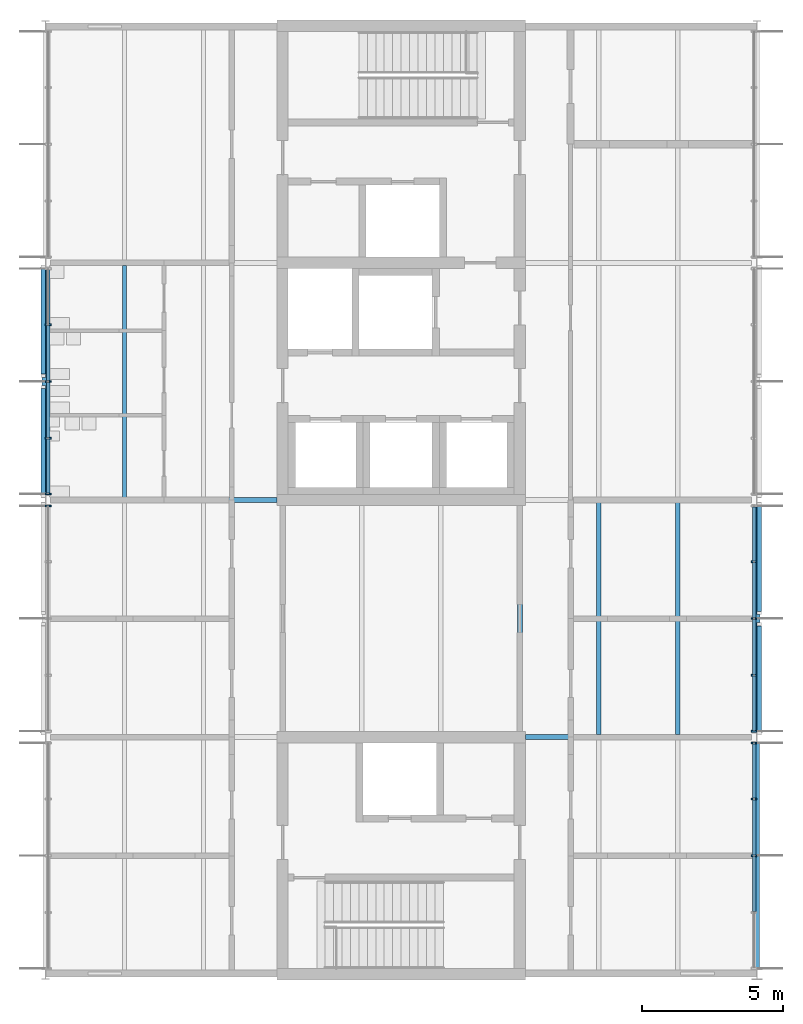
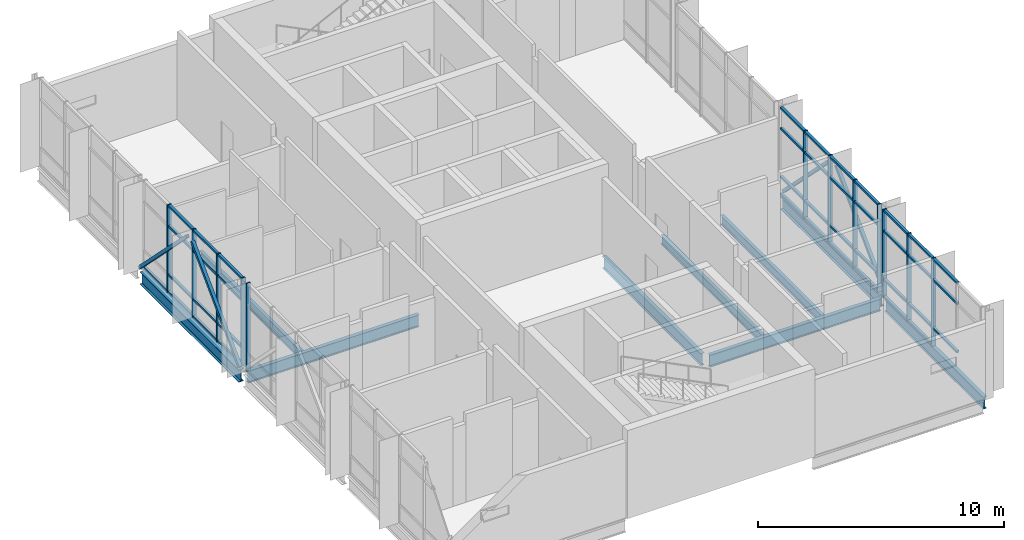
# One storey, part 3 of 15: 56 members, 9 beams, 4 elements without a shape of their own.
"""IFC4 building model written with IfcOpenShell, lengths in metres."""

import ifcopenshell
import ifcopenshell.guid

model = None  # the IFC model being written
_history = None  # IfcOwnerHistory: only IFC2X3 demands one
_inside = {}  # id of a spatial element -> (the spatial element, [elements in it])
_under = {}  # id of a project, library or spatial element -> (it, [spatial elements below it])
_declared = {}  # id of a project -> (the project, [libraries it declares])
_typed = {}  # id of a type object -> (the type object, [elements of that type])
_made_of = {}  # id of a material, layer set ... -> (it, [elements and type objects made of it])


def new_model(schema):
    """Start an empty IFC model of exactly this schema.

    Asked for "IFC4X3", IfcOpenShell would pick the latest addendum, in which some entities
    have other attributes; the version numbers below select the first issue.
    IFC2X3 requires an IfcOwnerHistory on every rooted entity: one is made here for all.
    """
    global model, _history
    if schema == "IFC4X3":
        model = ifcopenshell.file(schema_version=(4, 3, 0, 0))
    else:
        model = ifcopenshell.file(schema=schema)
    _inside.clear()
    _under.clear()
    _declared.clear()
    _typed.clear()
    _made_of.clear()
    _history = None
    if model.schema == "IFC2X3":
        org = make("IfcOrganization", Name="unknown")
        user = make(
            "IfcPersonAndOrganization",
            ThePerson=make("IfcPerson", FamilyName="unknown"),
            TheOrganization=org,
        )
        app = make(
            "IfcApplication",
            ApplicationDeveloper=org,
            Version="unknown",
            ApplicationFullName="unknown",
            ApplicationIdentifier="unknown",
        )
        _history = make(
            "IfcOwnerHistory",
            OwningUser=user,
            OwningApplication=app,
            ChangeAction="ADDED",
            CreationDate=0,
        )
    return model


def make(cls, **values):
    """One entity of the class cls with the attributes given. An attribute that is None is left unset."""
    return model.create_entity(
        cls, **{name: value for name, value in values.items() if value is not None}
    )


def rooted(cls, **values):
    """An entity with a GlobalId (a new one), such as an element, a storey or a relation."""
    return make(cls, GlobalId=ifcopenshell.guid.new(), OwnerHistory=_history, **values)


def si_unit(unit_type, name, prefix=None):
    """IfcSIUnit, for example si_unit("LENGTHUNIT", "METRE", prefix="MILLI")."""
    return make("IfcSIUnit", UnitType=unit_type, Prefix=prefix, Name=name)


def assignment(units):
    """IfcUnitAssignment: the units of a project."""
    return None if units is None else make("IfcUnitAssignment", Units=units)


def point(xyz):
    """IfcCartesianPoint."""
    return None if xyz is None else make("IfcCartesianPoint", Coordinates=xyz)


def direction(xyz):
    """IfcDirection."""
    return None if xyz is None else make("IfcDirection", DirectionRatios=xyz)


def frame(location, z_axis=None, x_axis=None):
    """IfcAxis2Placement3D, a coordinate frame: its origin and axes. An axis left out is left unset."""
    return make(
        "IfcAxis2Placement3D",
        Location=point(location),
        Axis=direction(z_axis),
        RefDirection=direction(x_axis),
    )


def frame_2d(location, x_axis=None):
    """IfcAxis2Placement2D, a coordinate frame in the plane: its origin and x axis."""
    return make(
        "IfcAxis2Placement2D", Location=point(location), RefDirection=direction(x_axis)
    )


def origin():
    """The frame at (0, 0, 0) with its axes left unset."""
    return frame((0.0, 0.0, 0.0))


def origin_2d():
    """The frame at (0, 0) in the plane with its x axis left unset."""
    return frame_2d((0.0, 0.0))


def place(relative_to, where):
    """IfcLocalPlacement: puts the frame where relative to a parent placement (None: the world)."""
    return make(
        "IfcLocalPlacement", PlacementRelTo=relative_to, RelativePlacement=where
    )


def context(
    kind, dimensions, precision=None, world=None, true_north=None, identifier=None
):
    """IfcGeometricRepresentationContext, for example the 3D "Model" context."""
    return make(
        "IfcGeometricRepresentationContext",
        ContextIdentifier=identifier,
        ContextType=kind,
        CoordinateSpaceDimension=dimensions,
        Precision=precision,
        WorldCoordinateSystem=world,
        TrueNorth=true_north,
    )


def subcontext(parent, identifier, kind, view, scale=None):
    """IfcGeometricRepresentationSubContext, for example "Body" below "Model"."""
    return make(
        "IfcGeometricRepresentationSubContext",
        ContextIdentifier=identifier,
        ContextType=kind,
        ParentContext=parent,
        TargetScale=scale,
        TargetView=view,
    )


def project(units=None, contexts=None):
    """IfcProject with its units and contexts."""
    return rooted(
        "IfcProject",
        Name="project",
        RepresentationContexts=contexts,
        UnitsInContext=assignment(units),
    )


def spatial(cls, under=None, at=None, **own):
    """A site, building, storey or space (cls), placed at a placement, below another one or the project."""
    s = rooted(cls, ObjectPlacement=at, **own)
    if under is not None:
        _under.setdefault(under.id(), (under, []))[1].append(s)
    return s


def profile(cls, at=None, kind="AREA", **sizes):
    """A parametric profile (cls). Its sizes go by their IFC names, for example OverallWidth=200.0."""
    return make(cls, ProfileType=kind, Position=at, **sizes)


def rectangle(**sizes):
    """IfcRectangleProfileDef."""
    return profile("IfcRectangleProfileDef", **sizes)


def hollow_rectangle(**sizes):
    """IfcRectangleHollowProfileDef."""
    return profile("IfcRectangleHollowProfileDef", **sizes)


def i_section(**sizes):
    """IfcIShapeProfileDef."""
    return profile("IfcIShapeProfileDef", **sizes)


def extrude(swept, where, along, depth):
    """IfcExtrudedAreaSolid: the profile swept, set in the frame where, extruded along a direction by depth."""
    return make(
        "IfcExtrudedAreaSolid",
        SweptArea=swept,
        Position=where,
        ExtrudedDirection=direction(along),
        Depth=depth,
    )


def shape(context_of_items, identifier, shape_type, items):
    """IfcShapeRepresentation: the items that make up one representation, for example the "Body"."""
    return make(
        "IfcShapeRepresentation",
        ContextOfItems=context_of_items,
        RepresentationIdentifier=identifier,
        RepresentationType=shape_type,
        Items=items,
    )


def material(Name=None, Category=None):
    """IfcMaterial."""
    return make("IfcMaterial", Name=Name, Category=Category)


def material_profile(
    of_material, cross_section, Name=None, Category=None, Priority=None
):
    """IfcMaterialProfile: a cross section and its material."""
    return make(
        "IfcMaterialProfile",
        Name=Name,
        Material=of_material,
        Profile=cross_section,
        Priority=Priority,
        Category=Category,
    )


def profile_set(profiles, Name=None, composite=None):
    """IfcMaterialProfileSet."""
    return make(
        "IfcMaterialProfileSet",
        Name=Name,
        MaterialProfiles=profiles,
        CompositeProfile=composite,
    )


def made_of(thing, what):
    """Note that an element or type object is made of a material, layer set ...; save() writes the relation."""
    if what is not None:
        _made_of.setdefault(what.id(), (what, []))[1].append(thing)
    return thing


def type_object(cls, material=None, **own):
    """A type object (cls), such as IfcWallType, which elements share."""
    return made_of(rooted(cls, **own), material)


def element(
    cls,
    number,
    at=None,
    inside=None,
    cuts=None,
    type_object=None,
    material=None,
    context=None,
    identifier="Body",
    shape_type=None,
    held_by="IfcProductDefinitionShape",
    body=None,
    shapes=None,
    **own,
):
    """One element of the class cls, such as IfcWall. Its Tag is "e" and its number.

    at: its placement. inside: the storey or other place that contains it. cuts: it is an
    opening in that element (IfcRelVoidsElement). A single representation is given by context,
    identifier, shape_type and body (its items); several are given by shapes. held_by: the class
    of the entity that holds the representations. save() writes the other relations.
    """
    e = rooted(cls, Tag="e%d" % number, ObjectPlacement=at, **own)
    if body is not None:
        shapes = [shape(context, identifier, shape_type, body)]
    if shapes is not None:
        e.Representation = make(held_by, Representations=shapes)
    if inside is not None:
        _inside.setdefault(inside.id(), (inside, []))[1].append(e)
    if cuts is not None:
        rooted(
            "IfcRelVoidsElement", RelatingBuildingElement=cuts, RelatedOpeningElement=e
        )
    if type_object is not None:
        _typed.setdefault(type_object.id(), (type_object, []))[1].append(e)
    return made_of(e, material)


def aggregate(whole, parts):
    """IfcRelAggregates: a whole, such as a stair, and the parts it consists of."""
    return rooted("IfcRelAggregates", RelatingObject=whole, RelatedObjects=parts)


def save(model, path):
    """Write the relations noted so far, then the file.

    IfcRelAggregates (storeys below a building ...), IfcRelContainedInSpatialStructure (elements
    in a storey), IfcRelDefinesByType, IfcRelAssociatesMaterial and IfcRelDeclares: one each for
    every whole, place, type object, material and project.
    """
    for whole, parts in _under.values():
        aggregate(whole, parts)
    for where, things in _inside.values():
        rooted(
            "IfcRelContainedInSpatialStructure",
            RelatedElements=things,
            RelatingStructure=where,
        )
    for kind, things in _typed.values():
        rooted("IfcRelDefinesByType", RelatedObjects=things, RelatingType=kind)
    for what, things in _made_of.values():
        rooted("IfcRelAssociatesMaterial", RelatedObjects=things, RelatingMaterial=what)
    for by, libraries in _declared.values():
        rooted("IfcRelDeclares", RelatingContext=by, RelatedDefinitions=libraries)
    model.write(path)


model = new_model("IFC4")

# Units and contexts
model_context = context("Model", 3, precision=1e-05, world=origin(), true_north=direction((0.0, 1.0)))
body_context = subcontext(model_context, "Body", "Model", "MODEL_VIEW")
ifc_project = project(units=[si_unit("LENGTHUNIT", "METRE"), si_unit("AREAUNIT", "SQUARE_METRE"), si_unit("VOLUMEUNIT", "CUBIC_METRE"), si_unit("PLANEANGLEUNIT", "RADIAN"), si_unit("MASSUNIT", "GRAM", prefix="KILO")], contexts=[model_context])

# Site, building, storey
site_placement = place(None, origin())
site = spatial("IfcSite", under=ifc_project, at=site_placement, CompositionType="ELEMENT")
building_placement = place(site_placement, origin())
building = spatial("IfcBuilding", under=site, at=building_placement, Name="Hlaing Beacon Police Headquarters", CompositionType="ELEMENT")
storey_placement = place(building_placement, frame((0.0, 0.0, 32.39990234375)))
storey = spatial("IfcBuildingStorey", under=building, at=storey_placement, Name="L07", CompositionType="ELEMENT", Elevation=32.39990234375)

# Members
ifc_material_1 = material(Name="Steel ASTM A500 Grade C", Category="steel")
ifc_material_profile_1 = material_profile(ifc_material_1, hollow_rectangle(XDim=0.15234375, YDim=0.15234375, WallThickness=0.0126953125, at=origin_2d()), Name="HSS6x6x1/2")
ifc_profile_set_1 = profile_set([ifc_material_profile_1], Name="Steel ASTM A500 Grade C")
member_type_1 = type_object("IfcMemberType", Name="Chevron brace HSS6x6x1/2", PredefinedType="BRACE", material=ifc_profile_set_1)
for number, where, z_axis, x_axis, name in (
    (1, (100.7197265625, 50.530029296875, 0.05419921875), (0.0, 0.704368633341, 0.709834366853), (-1.0, 0.0, 0.0), "STR-BR-L07-N7a"),
    (2, (100.7197265625, 58.669921875, 0.05419921875), (0.0, -0.704368633341, 0.709834366853), (1.0, 0.0, 0.0), "STR-BR-L07-N7b"),
):
    element("IfcMember", number, at=place(storey_placement, frame(where, z_axis=z_axis, x_axis=x_axis)), inside=storey, type_object=member_type_1, Name=name, PredefinedType="BRACE", context=body_context, shape_type="SweptSolid", body=[
        extrude(hollow_rectangle(XDim=0.15234375, YDim=0.15234375, WallThickness=0.0126953125, at=origin_2d()), origin(), (0.0, 0.0, 1.0), 5.494140625),
    ])
for number, where, z_axis, x_axis, name in (
    (3, (126.080078125, 42.1298828125, 0.05419921875), (0.0, 0.704391022459, 0.70981214943), (-1.0, 0.0, 0.0), "STR-BR-L07-R6a"),
    (4, (126.080078125, 50.27001953125, 0.05419921875), (0.0, -0.704391022459, 0.70981214943), (1.0, 0.0, 0.0), "STR-BR-L07-R6b"),
):
    element("IfcMember", number, at=place(storey_placement, frame(where, z_axis=z_axis, x_axis=x_axis)), inside=storey, type_object=member_type_1, Name=name, PredefinedType="BRACE", context=body_context, shape_type="SweptSolid", body=[
        extrude(hollow_rectangle(XDim=0.15234375, YDim=0.15234375, WallThickness=0.0126953125, at=origin_2d()), origin(), (0.0, 0.0, 1.0), 5.494384765625),
    ])

# Beams
ifc_material_2 = material(Name="Steel ASTM A992 Grade 50", Category="steel")
ifc_material_profile_2 = material_profile(ifc_material_2, i_section(OverallWidth=0.177978515625, OverallDepth=0.599365234375, WebThickness=0.010009765625, FlangeThickness=0.012939453125, FilletRadius=0.012939453125, at=origin_2d()), Name="W24x55")
ifc_profile_set_2 = profile_set([ifc_material_profile_2], Name="Steel ASTM A992 Grade 50")
beam_type_1 = type_object("IfcBeamType", Name="Girder W24x55", PredefinedType="BEAM", material=ifc_profile_set_2)
for number, where, z_axis, x_axis, name in (
    (5, (117.800048828125, 42.0, -0.4296875), (1.0, 0.0, 0.0), (0.0, 1.0, 0.0), "STR-BM-L07-GX-Q6-R6"),
    (6, (100.985107421875, 50.39990234375, -0.4296875), (1.0, 0.0, 0.0), (0.0, 1.0, 0.0), "STR-BM-L07-GX-N7-P7"),
):
    element("IfcBeam", number, at=place(storey_placement, frame(where, z_axis=z_axis, x_axis=x_axis)), inside=storey, type_object=beam_type_1, Name=name, PredefinedType="BEAM", context=body_context, shape_type="SweptSolid", body=[
        extrude(i_section(OverallWidth=0.177978515625, OverallDepth=0.599365234375, WebThickness=0.010009765625, FlangeThickness=0.012939453125, FilletRadius=0.012939453125, at=origin_2d()), origin(), (0.0, 0.0, 1.0), 8.014892578125),
    ])
beam_1_placement = place(storey_placement, frame((117.60009765625, 42.199951171875, -0.4296875), z_axis=(0.0, 1.0, 0.0), x_axis=(-1.0, 0.0, 0.0)))
element("IfcBeam", 7, at=beam_1_placement, inside=storey, type_object=beam_type_1, Name="STR-BM-L07-GY-Q6-Q7", PredefinedType="BEAM", context=body_context, shape_type="SweptSolid", body=[
    extrude(i_section(OverallWidth=0.177978515625, OverallDepth=0.599365234375, WebThickness=0.010009765625, FlangeThickness=0.012939453125, FilletRadius=0.012939453125, at=origin_2d()), origin(), (0.0, 0.0, 1.0), 8.0),
])
beam_2_placement = place(storey_placement, frame((126.0, 33.791015625, -0.4296875), z_axis=(0.0, 1.0, 0.0), x_axis=(-1.0, 0.0, 0.0)))
element("IfcBeam", 8, at=beam_2_placement, inside=storey, type_object=beam_type_1, Name="STR-BM-L07-GY-R5-R6", PredefinedType="BEAM", context=body_context, shape_type="SweptSolid", body=[
    extrude(i_section(OverallWidth=0.177978515625, OverallDepth=0.599365234375, WebThickness=0.010009765625, FlangeThickness=0.012939453125, FilletRadius=0.012939453125, at=origin_2d()), origin(), (0.0, 0.0, 1.0), 8.027099609375),
])
ifc_material_3 = material(Name="Steel ASTM A992 Grade 50", Category="steel")
ifc_material_profile_3 = material_profile(ifc_material_3, i_section(OverallWidth=0.22900390625, OverallDepth=0.612060546875, WebThickness=0.011962890625, FlangeThickness=0.01953125, FilletRadius=0.0126953125, at=origin_2d()), Name="W24x84")
ifc_profile_set_3 = profile_set([ifc_material_profile_3], Name="Steel ASTM A992 Grade 50")
beam_type_2 = type_object("IfcBeamType", Name="Girder W24x84", PredefinedType="BEAM", material=ifc_profile_set_3)
beam_3_placement = place(storey_placement, frame((100.800048828125, 50.58203125, -0.43603515625), z_axis=(0.0, 1.0, 0.0), x_axis=(-1.0, 0.0, 0.0)))
element("IfcBeam", 9, at=beam_3_placement, inside=storey, type_object=beam_type_2, Name="STR-BM-L07-GY-N7-N8", PredefinedType="BEAM", context=body_context, shape_type="SweptSolid", body=[
    extrude(i_section(OverallWidth=0.22900390625, OverallDepth=0.612060546875, WebThickness=0.011962890625, FlangeThickness=0.01953125, FilletRadius=0.0126953125, at=origin_2d()), origin(), (0.0, 0.0, 1.0), 8.035888671875),
])
beam_4_placement = place(storey_placement, frame((126.0, 42.181884765625, -0.43603515625), z_axis=(0.0, 1.0, 0.0), x_axis=(-1.0, 0.0, 0.0)))
element("IfcBeam", 10, at=beam_4_placement, inside=storey, type_object=beam_type_2, Name="STR-BM-L07-GY-R6-R7", PredefinedType="BEAM", context=body_context, shape_type="SweptSolid", body=[
    extrude(i_section(OverallWidth=0.22900390625, OverallDepth=0.612060546875, WebThickness=0.011962890625, FlangeThickness=0.01953125, FilletRadius=0.0126953125, at=origin_2d()), origin(), (0.0, 0.0, 1.0), 8.0361328125),
])

# Curtain wall, members
ifc_material_4 = material(Name="Aluminium frame with solar control glazing", Category="aluminium")
curtain_wall_type = type_object("IfcCurtainWallType", Name="Unitised curtain wall 8.04 x 4.37", PredefinedType="NOTDEFINED", material=ifc_material_4)
curtain_wall_1_placement = place(storey_placement, origin())
curtain_wall_1 = element("IfcCurtainWall", 11, at=curtain_wall_1_placement, inside=storey, type_object=curtain_wall_type, Name="ENV-CW-L07-E001", PredefinedType="NOTDEFINED")
ifc_material_5 = material(Name="Aluminium", Category="aluminium")
ifc_material_profile_4 = material_profile(ifc_material_5, rectangle(XDim=0.199951171875, YDim=0.06005859375, at=origin_2d()), Name="Mullion 60x200")
ifc_profile_set_4 = profile_set([ifc_material_profile_4], Name="Aluminium")
member_type_2 = type_object("IfcMemberType", Name="Mullion 60x200", PredefinedType="MULLION", material=ifc_profile_set_4)
member_1_placement = place(storey_placement, frame((125.89990234375, 37.802001953125, 0.0), z_axis=(0.0, 0.0, 1.0), x_axis=(-1.0, 0.0, 0.0)))
member_1 = element("IfcMember", 12, at=member_1_placement, type_object=member_type_2, Name="CW-L07-E001 mullion 3", PredefinedType="MULLION", context=body_context, shape_type="SweptSolid", body=[
    extrude(rectangle(XDim=0.199951171875, YDim=0.06005859375, at=origin_2d()), origin(), (0.0, 0.0, 1.0), 4.3701171875),
])
member_2_placement = place(storey_placement, frame((125.89990234375, 39.810791015625, 0.0), z_axis=(0.0, 0.0, 1.0), x_axis=(-1.0, 0.0, 0.0)))
member_2 = element("IfcMember", 13, at=member_2_placement, type_object=member_type_2, Name="CW-L07-E001 mullion 4", PredefinedType="MULLION", context=body_context, shape_type="SweptSolid", body=[
    extrude(rectangle(XDim=0.199951171875, YDim=0.06005859375, at=origin_2d()), origin(), (0.0, 0.0, 1.0), 4.3701171875),
])
member_3_placement = place(storey_placement, frame((125.89990234375, 41.789794921875, 0.0), z_axis=(0.0, 0.0, 1.0), x_axis=(-1.0, 0.0, 0.0)))
member_3 = element("IfcMember", 14, at=member_3_placement, type_object=member_type_2, Name="CW-L07-E001 mullion 5", PredefinedType="MULLION", context=body_context, shape_type="SweptSolid", body=[
    extrude(rectangle(XDim=0.199951171875, YDim=0.06005859375, at=origin_2d()), origin(), (0.0, 0.0, 1.0), 4.3701171875),
])

curtain_wall_2_placement = place(storey_placement, origin())
curtain_wall_2 = element("IfcCurtainWall", 15, at=curtain_wall_2_placement, inside=storey, type_object=curtain_wall_type, Name="ENV-CW-L07-E002", PredefinedType="NOTDEFINED")
member_4_placement = place(storey_placement, frame((125.89990234375, 42.210205078125, 0.0), z_axis=(0.0, 0.0, 1.0), x_axis=(-1.0, 0.0, 0.0)))
member_4 = element("IfcMember", 16, at=member_4_placement, type_object=member_type_2, Name="CW-L07-E002 mullion 1", PredefinedType="MULLION", context=body_context, shape_type="SweptSolid", body=[
    extrude(rectangle(XDim=0.199951171875, YDim=0.06005859375, at=origin_2d()), origin(), (0.0, 0.0, 1.0), 4.3701171875),
])
member_5_placement = place(storey_placement, frame((125.89990234375, 44.190185546875, 0.0), z_axis=(0.0, 0.0, 1.0), x_axis=(-1.0, 0.0, 0.0)))
member_5 = element("IfcMember", 17, at=member_5_placement, type_object=member_type_2, Name="CW-L07-E002 mullion 2", PredefinedType="MULLION", context=body_context, shape_type="SweptSolid", body=[
    extrude(rectangle(XDim=0.199951171875, YDim=0.06005859375, at=origin_2d()), origin(), (0.0, 0.0, 1.0), 4.3701171875),
])
member_6_placement = place(storey_placement, frame((125.89990234375, 46.199951171875, 0.0), z_axis=(0.0, 0.0, 1.0), x_axis=(-1.0, 0.0, 0.0)))
member_6 = element("IfcMember", 18, at=member_6_placement, type_object=member_type_2, Name="CW-L07-E002 mullion 3", PredefinedType="MULLION", context=body_context, shape_type="SweptSolid", body=[
    extrude(rectangle(XDim=0.199951171875, YDim=0.06005859375, at=origin_2d()), origin(), (0.0, 0.0, 1.0), 4.3701171875),
])
member_7_placement = place(storey_placement, frame((125.89990234375, 48.2099609375, 0.0), z_axis=(0.0, 0.0, 1.0), x_axis=(-1.0, 0.0, 0.0)))
member_7 = element("IfcMember", 19, at=member_7_placement, type_object=member_type_2, Name="CW-L07-E002 mullion 4", PredefinedType="MULLION", context=body_context, shape_type="SweptSolid", body=[
    extrude(rectangle(XDim=0.199951171875, YDim=0.06005859375, at=origin_2d()), origin(), (0.0, 0.0, 1.0), 4.3701171875),
])

curtain_wall_3_placement = place(storey_placement, origin())
curtain_wall_3 = element("IfcCurtainWall", 20, at=curtain_wall_3_placement, inside=storey, type_object=curtain_wall_type, Name="ENV-CW-L07-W006", PredefinedType="NOTDEFINED")
member_8_placement = place(storey_placement, frame((100.89990234375, 56.60986328125, 0.0), z_axis=(0.0, 0.0, 1.0), x_axis=(1.0, 0.0, 0.0)))
member_8 = element("IfcMember", 21, at=member_8_placement, type_object=member_type_2, Name="CW-L07-W006 mullion 2", PredefinedType="MULLION", context=body_context, shape_type="SweptSolid", body=[
    extrude(rectangle(XDim=0.199951171875, YDim=0.06005859375, at=origin_2d()), origin(), (0.0, 0.0, 1.0), 4.3701171875),
])
member_9_placement = place(storey_placement, frame((100.89990234375, 54.60009765625, 0.0), z_axis=(0.0, 0.0, 1.0), x_axis=(1.0, 0.0, 0.0)))
member_9 = element("IfcMember", 22, at=member_9_placement, type_object=member_type_2, Name="CW-L07-W006 mullion 3", PredefinedType="MULLION", context=body_context, shape_type="SweptSolid", body=[
    extrude(rectangle(XDim=0.199951171875, YDim=0.06005859375, at=origin_2d()), origin(), (0.0, 0.0, 1.0), 4.3701171875),
])
member_10_placement = place(storey_placement, frame((100.89990234375, 52.590087890625, 0.0), z_axis=(0.0, 0.0, 1.0), x_axis=(1.0, 0.0, 0.0)))
member_10 = element("IfcMember", 23, at=member_10_placement, type_object=member_type_2, Name="CW-L07-W006 mullion 4", PredefinedType="MULLION", context=body_context, shape_type="SweptSolid", body=[
    extrude(rectangle(XDim=0.199951171875, YDim=0.06005859375, at=origin_2d()), origin(), (0.0, 0.0, 1.0), 4.3701171875),
])
member_11_placement = place(storey_placement, frame((100.89990234375, 50.6103515625, 0.0), z_axis=(0.0, 0.0, 1.0), x_axis=(1.0, 0.0, 0.0)))
member_11 = element("IfcMember", 24, at=member_11_placement, type_object=member_type_2, Name="CW-L07-W006 mullion 5", PredefinedType="MULLION", context=body_context, shape_type="SweptSolid", body=[
    extrude(rectangle(XDim=0.199951171875, YDim=0.06005859375, at=origin_2d()), origin(), (0.0, 0.0, 1.0), 4.3701171875),
])

# Curtain wall, member
curtain_wall_4_placement = place(storey_placement, origin())
curtain_wall_4 = element("IfcCurtainWall", 25, at=curtain_wall_4_placement, inside=storey, type_object=curtain_wall_type, Name="ENV-CW-L07-W007", PredefinedType="NOTDEFINED")
member_12_placement = place(storey_placement, frame((100.89990234375, 50.189697265625, 0.0), z_axis=(0.0, 0.0, 1.0), x_axis=(1.0, 0.0, 0.0)))
member_12 = element("IfcMember", 26, at=member_12_placement, type_object=member_type_2, Name="CW-L07-W007 mullion 1", PredefinedType="MULLION", context=body_context, shape_type="SweptSolid", body=[
    extrude(rectangle(XDim=0.199951171875, YDim=0.06005859375, at=origin_2d()), origin(), (0.0, 0.0, 1.0), 4.3701171875),
])
aggregate(curtain_wall_4, [member_12])

# Beams
ifc_material_6 = material(Name="Steel ASTM A992 Grade 50", Category="steel")
ifc_material_profile_5 = material_profile(ifc_material_6, i_section(OverallWidth=0.15234375, OverallDepth=0.449462890625, WebThickness=0.007568359375, FlangeThickness=0.0107421875, FilletRadius=0.01025390625, at=origin_2d()), Name="W18x35")
ifc_profile_set_5 = profile_set([ifc_material_profile_5], Name="Steel ASTM A992 Grade 50")
beam_type_3 = type_object("IfcBeamType", Name="Secondary beam W18x35", PredefinedType="BEAM", material=ifc_profile_set_5)
for number, where, z_axis, x_axis, name in (
    (27, (103.60009765625, 50.489013671875, -0.354736328125), (0.0, 1.0, 0.0), (-1.0, 0.0, 0.0), "STR-BM-L07-SB-N7-y1"),
    (28, (120.39990234375, 42.089111328125, -0.354736328125), (0.0, 1.0, 0.0), (-1.0, 0.0, 0.0), "STR-BM-L07-SB-Q6-y1"),
    (29, (123.199951171875, 42.089111328125, -0.354736328125), (0.0, 1.0, 0.0), (-1.0, 0.0, 0.0), "STR-BM-L07-SB-Q6-y2"),
):
    element("IfcBeam", number, at=place(storey_placement, frame(where, z_axis=z_axis, x_axis=x_axis)), inside=storey, type_object=beam_type_3, Name=name, PredefinedType="BEAM", context=body_context, shape_type="SweptSolid", body=[
        extrude(i_section(OverallWidth=0.15234375, OverallDepth=0.449462890625, WebThickness=0.007568359375, FlangeThickness=0.0107421875, FilletRadius=0.01025390625, at=origin_2d()), origin(), (0.0, 0.0, 1.0), 8.221923828125),
    ])

# Member
ifc_material_7 = material(Name="Aluminium", Category="aluminium")
ifc_material_profile_6 = material_profile(ifc_material_7, rectangle(XDim=0.1201171875, YDim=0.10009765625, at=origin_2d()), Name="Transom 120x100")
ifc_profile_set_6 = profile_set([ifc_material_profile_6], Name="Aluminium")
member_type_3 = type_object("IfcMemberType", Name="Transom 120x100", PredefinedType="USERDEFINED", material=ifc_profile_set_6)
member_13_placement = place(storey_placement, frame((125.89990234375, 35.822998046875, 0.900146484375), z_axis=(0.0, 1.0, 0.0), x_axis=(-1.0, 0.0, 0.0)))
member_13 = element("IfcMember", 30, at=member_13_placement, type_object=member_type_3, Name="CW-L07-E001 transom 2.2", ObjectType="TRANSOM", PredefinedType="USERDEFINED", context=body_context, shape_type="SweptSolid", body=[
    extrude(rectangle(XDim=0.1201171875, YDim=0.10009765625, at=origin_2d()), origin(), (0.0, 0.0, 1.0), 1.948974609375),
])

member_14_placement = place(storey_placement, frame((125.89990234375, 35.822998046875, 3.300048828125), z_axis=(0.0, 1.0, 0.0), x_axis=(-1.0, 0.0, 0.0)))
member_14 = element("IfcMember", 31, at=member_14_placement, type_object=member_type_3, Name="CW-L07-E001 transom 2.3", ObjectType="TRANSOM", PredefinedType="USERDEFINED", context=body_context, shape_type="SweptSolid", body=[
    extrude(rectangle(XDim=0.1201171875, YDim=0.10009765625, at=origin_2d()), origin(), (0.0, 0.0, 1.0), 1.948974609375),
])

member_15_placement = place(storey_placement, frame((125.89990234375, 35.822998046875, 4.320068359375), z_axis=(0.0, 1.0, 0.0), x_axis=(-1.0, 0.0, 0.0)))
member_15 = element("IfcMember", 32, at=member_15_placement, type_object=member_type_3, Name="CW-L07-E001 transom 2.4", ObjectType="TRANSOM", PredefinedType="USERDEFINED", context=body_context, shape_type="SweptSolid", body=[
    extrude(rectangle(XDim=0.1201171875, YDim=0.10009765625, at=origin_2d()), origin(), (0.0, 0.0, 1.0), 1.948974609375),
])

member_16_placement = place(storey_placement, frame((125.89990234375, 37.83203125, 0.050048828125), z_axis=(0.0, 1.0, 0.0), x_axis=(-1.0, 0.0, 0.0)))
member_16 = element("IfcMember", 33, at=member_16_placement, type_object=member_type_3, Name="CW-L07-E001 transom 3.1", ObjectType="TRANSOM", PredefinedType="USERDEFINED", context=body_context, shape_type="SweptSolid", body=[
    extrude(rectangle(XDim=0.1201171875, YDim=0.10009765625, at=origin_2d()), origin(), (0.0, 0.0, 1.0), 1.94873046875),
])

member_17_placement = place(storey_placement, frame((125.89990234375, 37.83203125, 0.900146484375), z_axis=(0.0, 1.0, 0.0), x_axis=(-1.0, 0.0, 0.0)))
member_17 = element("IfcMember", 34, at=member_17_placement, type_object=member_type_3, Name="CW-L07-E001 transom 3.2", ObjectType="TRANSOM", PredefinedType="USERDEFINED", context=body_context, shape_type="SweptSolid", body=[
    extrude(rectangle(XDim=0.1201171875, YDim=0.10009765625, at=origin_2d()), origin(), (0.0, 0.0, 1.0), 1.94873046875),
])

member_18_placement = place(storey_placement, frame((125.89990234375, 37.83203125, 3.300048828125), z_axis=(0.0, 1.0, 0.0), x_axis=(-1.0, 0.0, 0.0)))
member_18 = element("IfcMember", 35, at=member_18_placement, type_object=member_type_3, Name="CW-L07-E001 transom 3.3", ObjectType="TRANSOM", PredefinedType="USERDEFINED", context=body_context, shape_type="SweptSolid", body=[
    extrude(rectangle(XDim=0.1201171875, YDim=0.10009765625, at=origin_2d()), origin(), (0.0, 0.0, 1.0), 1.94873046875),
])

member_19_placement = place(storey_placement, frame((125.89990234375, 37.83203125, 4.320068359375), z_axis=(0.0, 1.0, 0.0), x_axis=(-1.0, 0.0, 0.0)))
member_19 = element("IfcMember", 36, at=member_19_placement, type_object=member_type_3, Name="CW-L07-E001 transom 3.4", ObjectType="TRANSOM", PredefinedType="USERDEFINED", context=body_context, shape_type="SweptSolid", body=[
    extrude(rectangle(XDim=0.1201171875, YDim=0.10009765625, at=origin_2d()), origin(), (0.0, 0.0, 1.0), 1.94873046875),
])

member_20_placement = place(storey_placement, frame((125.89990234375, 39.8408203125, 0.050048828125), z_axis=(0.0, 1.0, 0.0), x_axis=(-1.0, 0.0, 0.0)))
member_20 = element("IfcMember", 37, at=member_20_placement, type_object=member_type_3, Name="CW-L07-E001 transom 4.1", ObjectType="TRANSOM", PredefinedType="USERDEFINED", context=body_context, shape_type="SweptSolid", body=[
    extrude(rectangle(XDim=0.1201171875, YDim=0.10009765625, at=origin_2d()), origin(), (0.0, 0.0, 1.0), 1.9189453125),
])

member_21_placement = place(storey_placement, frame((125.89990234375, 39.8408203125, 0.900146484375), z_axis=(0.0, 1.0, 0.0), x_axis=(-1.0, 0.0, 0.0)))
member_21 = element("IfcMember", 38, at=member_21_placement, type_object=member_type_3, Name="CW-L07-E001 transom 4.2", ObjectType="TRANSOM", PredefinedType="USERDEFINED", context=body_context, shape_type="SweptSolid", body=[
    extrude(rectangle(XDim=0.1201171875, YDim=0.10009765625, at=origin_2d()), origin(), (0.0, 0.0, 1.0), 1.9189453125),
])

member_22_placement = place(storey_placement, frame((125.89990234375, 39.8408203125, 3.300048828125), z_axis=(0.0, 1.0, 0.0), x_axis=(-1.0, 0.0, 0.0)))
member_22 = element("IfcMember", 39, at=member_22_placement, type_object=member_type_3, Name="CW-L07-E001 transom 4.3", ObjectType="TRANSOM", PredefinedType="USERDEFINED", context=body_context, shape_type="SweptSolid", body=[
    extrude(rectangle(XDim=0.1201171875, YDim=0.10009765625, at=origin_2d()), origin(), (0.0, 0.0, 1.0), 1.9189453125),
])

member_23_placement = place(storey_placement, frame((125.89990234375, 39.8408203125, 4.320068359375), z_axis=(0.0, 1.0, 0.0), x_axis=(-1.0, 0.0, 0.0)))
member_23 = element("IfcMember", 40, at=member_23_placement, type_object=member_type_3, Name="CW-L07-E001 transom 4.4", ObjectType="TRANSOM", PredefinedType="USERDEFINED", context=body_context, shape_type="SweptSolid", body=[
    extrude(rectangle(XDim=0.1201171875, YDim=0.10009765625, at=origin_2d()), origin(), (0.0, 0.0, 1.0), 1.9189453125),
])

aggregate(curtain_wall_1, [member_1, member_2, member_3, member_13, member_14, member_15, member_16, member_17, member_18, member_19, member_20, member_21, member_22, member_23])

member_24_placement = place(storey_placement, frame((125.89990234375, 42.240234375, 0.050048828125), z_axis=(0.0, 1.0, 0.0), x_axis=(-1.0, 0.0, 0.0)))
member_24 = element("IfcMember", 41, at=member_24_placement, type_object=member_type_3, Name="CW-L07-E002 transom 1.1", ObjectType="TRANSOM", PredefinedType="USERDEFINED", context=body_context, shape_type="SweptSolid", body=[
    extrude(rectangle(XDim=0.1201171875, YDim=0.10009765625, at=origin_2d()), origin(), (0.0, 0.0, 1.0), 1.919921875),
])

member_25_placement = place(storey_placement, frame((125.89990234375, 42.240234375, 0.900146484375), z_axis=(0.0, 1.0, 0.0), x_axis=(-1.0, 0.0, 0.0)))
member_25 = element("IfcMember", 42, at=member_25_placement, type_object=member_type_3, Name="CW-L07-E002 transom 1.2", ObjectType="TRANSOM", PredefinedType="USERDEFINED", context=body_context, shape_type="SweptSolid", body=[
    extrude(rectangle(XDim=0.1201171875, YDim=0.10009765625, at=origin_2d()), origin(), (0.0, 0.0, 1.0), 1.919921875),
])

member_26_placement = place(storey_placement, frame((125.89990234375, 42.240234375, 3.300048828125), z_axis=(0.0, 1.0, 0.0), x_axis=(-1.0, 0.0, 0.0)))
member_26 = element("IfcMember", 43, at=member_26_placement, type_object=member_type_3, Name="CW-L07-E002 transom 1.3", ObjectType="TRANSOM", PredefinedType="USERDEFINED", context=body_context, shape_type="SweptSolid", body=[
    extrude(rectangle(XDim=0.1201171875, YDim=0.10009765625, at=origin_2d()), origin(), (0.0, 0.0, 1.0), 1.919921875),
])

member_27_placement = place(storey_placement, frame((125.89990234375, 42.240234375, 4.320068359375), z_axis=(0.0, 1.0, 0.0), x_axis=(-1.0, 0.0, 0.0)))
member_27 = element("IfcMember", 44, at=member_27_placement, type_object=member_type_3, Name="CW-L07-E002 transom 1.4", ObjectType="TRANSOM", PredefinedType="USERDEFINED", context=body_context, shape_type="SweptSolid", body=[
    extrude(rectangle(XDim=0.1201171875, YDim=0.10009765625, at=origin_2d()), origin(), (0.0, 0.0, 1.0), 1.919921875),
])

member_28_placement = place(storey_placement, frame((125.89990234375, 44.22021484375, 0.050048828125), z_axis=(0.0, 1.0, 0.0), x_axis=(-1.0, 0.0, 0.0)))
member_28 = element("IfcMember", 45, at=member_28_placement, type_object=member_type_3, Name="CW-L07-E002 transom 2.1", ObjectType="TRANSOM", PredefinedType="USERDEFINED", context=body_context, shape_type="SweptSolid", body=[
    extrude(rectangle(XDim=0.1201171875, YDim=0.10009765625, at=origin_2d()), origin(), (0.0, 0.0, 1.0), 1.94970703125),
])

member_29_placement = place(storey_placement, frame((125.89990234375, 44.22021484375, 0.900146484375), z_axis=(0.0, 1.0, 0.0), x_axis=(-1.0, 0.0, 0.0)))
member_29 = element("IfcMember", 46, at=member_29_placement, type_object=member_type_3, Name="CW-L07-E002 transom 2.2", ObjectType="TRANSOM", PredefinedType="USERDEFINED", context=body_context, shape_type="SweptSolid", body=[
    extrude(rectangle(XDim=0.1201171875, YDim=0.10009765625, at=origin_2d()), origin(), (0.0, 0.0, 1.0), 1.94970703125),
])

member_30_placement = place(storey_placement, frame((125.89990234375, 44.22021484375, 3.300048828125), z_axis=(0.0, 1.0, 0.0), x_axis=(-1.0, 0.0, 0.0)))
member_30 = element("IfcMember", 47, at=member_30_placement, type_object=member_type_3, Name="CW-L07-E002 transom 2.3", ObjectType="TRANSOM", PredefinedType="USERDEFINED", context=body_context, shape_type="SweptSolid", body=[
    extrude(rectangle(XDim=0.1201171875, YDim=0.10009765625, at=origin_2d()), origin(), (0.0, 0.0, 1.0), 1.94970703125),
])

member_31_placement = place(storey_placement, frame((125.89990234375, 44.22021484375, 4.320068359375), z_axis=(0.0, 1.0, 0.0), x_axis=(-1.0, 0.0, 0.0)))
member_31 = element("IfcMember", 48, at=member_31_placement, type_object=member_type_3, Name="CW-L07-E002 transom 2.4", ObjectType="TRANSOM", PredefinedType="USERDEFINED", context=body_context, shape_type="SweptSolid", body=[
    extrude(rectangle(XDim=0.1201171875, YDim=0.10009765625, at=origin_2d()), origin(), (0.0, 0.0, 1.0), 1.94970703125),
])

member_32_placement = place(storey_placement, frame((125.89990234375, 46.22998046875, 0.050048828125), z_axis=(0.0, 1.0, 0.0), x_axis=(-1.0, 0.0, 0.0)))
member_32 = element("IfcMember", 49, at=member_32_placement, type_object=member_type_3, Name="CW-L07-E002 transom 3.1", ObjectType="TRANSOM", PredefinedType="USERDEFINED", context=body_context, shape_type="SweptSolid", body=[
    extrude(rectangle(XDim=0.1201171875, YDim=0.10009765625, at=origin_2d()), origin(), (0.0, 0.0, 1.0), 1.949951171875),
])

member_33_placement = place(storey_placement, frame((125.89990234375, 46.22998046875, 0.900146484375), z_axis=(0.0, 1.0, 0.0), x_axis=(-1.0, 0.0, 0.0)))
member_33 = element("IfcMember", 50, at=member_33_placement, type_object=member_type_3, Name="CW-L07-E002 transom 3.2", ObjectType="TRANSOM", PredefinedType="USERDEFINED", context=body_context, shape_type="SweptSolid", body=[
    extrude(rectangle(XDim=0.1201171875, YDim=0.10009765625, at=origin_2d()), origin(), (0.0, 0.0, 1.0), 1.949951171875),
])

member_34_placement = place(storey_placement, frame((125.89990234375, 46.22998046875, 3.300048828125), z_axis=(0.0, 1.0, 0.0), x_axis=(-1.0, 0.0, 0.0)))
member_34 = element("IfcMember", 51, at=member_34_placement, type_object=member_type_3, Name="CW-L07-E002 transom 3.3", ObjectType="TRANSOM", PredefinedType="USERDEFINED", context=body_context, shape_type="SweptSolid", body=[
    extrude(rectangle(XDim=0.1201171875, YDim=0.10009765625, at=origin_2d()), origin(), (0.0, 0.0, 1.0), 1.949951171875),
])

member_35_placement = place(storey_placement, frame((125.89990234375, 46.22998046875, 4.320068359375), z_axis=(0.0, 1.0, 0.0), x_axis=(-1.0, 0.0, 0.0)))
member_35 = element("IfcMember", 52, at=member_35_placement, type_object=member_type_3, Name="CW-L07-E002 transom 3.4", ObjectType="TRANSOM", PredefinedType="USERDEFINED", context=body_context, shape_type="SweptSolid", body=[
    extrude(rectangle(XDim=0.1201171875, YDim=0.10009765625, at=origin_2d()), origin(), (0.0, 0.0, 1.0), 1.949951171875),
])

member_36_placement = place(storey_placement, frame((125.89990234375, 48.23974609375, 0.050048828125), z_axis=(0.0, 1.0, 0.0), x_axis=(-1.0, 0.0, 0.0)))
member_36 = element("IfcMember", 53, at=member_36_placement, type_object=member_type_3, Name="CW-L07-E002 transom 4.1", ObjectType="TRANSOM", PredefinedType="USERDEFINED", context=body_context, shape_type="SweptSolid", body=[
    extrude(rectangle(XDim=0.1201171875, YDim=0.10009765625, at=origin_2d()), origin(), (0.0, 0.0, 1.0), 1.919921875),
])

member_37_placement = place(storey_placement, frame((125.89990234375, 48.23974609375, 0.900146484375), z_axis=(0.0, 1.0, 0.0), x_axis=(-1.0, 0.0, 0.0)))
member_37 = element("IfcMember", 54, at=member_37_placement, type_object=member_type_3, Name="CW-L07-E002 transom 4.2", ObjectType="TRANSOM", PredefinedType="USERDEFINED", context=body_context, shape_type="SweptSolid", body=[
    extrude(rectangle(XDim=0.1201171875, YDim=0.10009765625, at=origin_2d()), origin(), (0.0, 0.0, 1.0), 1.919921875),
])

member_38_placement = place(storey_placement, frame((125.89990234375, 48.23974609375, 3.300048828125), z_axis=(0.0, 1.0, 0.0), x_axis=(-1.0, 0.0, 0.0)))
member_38 = element("IfcMember", 55, at=member_38_placement, type_object=member_type_3, Name="CW-L07-E002 transom 4.3", ObjectType="TRANSOM", PredefinedType="USERDEFINED", context=body_context, shape_type="SweptSolid", body=[
    extrude(rectangle(XDim=0.1201171875, YDim=0.10009765625, at=origin_2d()), origin(), (0.0, 0.0, 1.0), 1.919921875),
])

member_39_placement = place(storey_placement, frame((125.89990234375, 48.23974609375, 4.320068359375), z_axis=(0.0, 1.0, 0.0), x_axis=(-1.0, 0.0, 0.0)))
member_39 = element("IfcMember", 56, at=member_39_placement, type_object=member_type_3, Name="CW-L07-E002 transom 4.4", ObjectType="TRANSOM", PredefinedType="USERDEFINED", context=body_context, shape_type="SweptSolid", body=[
    extrude(rectangle(XDim=0.1201171875, YDim=0.10009765625, at=origin_2d()), origin(), (0.0, 0.0, 1.0), 1.919921875),
])

aggregate(curtain_wall_2, [member_4, member_5, member_6, member_7, member_24, member_25, member_26, member_27, member_28, member_29, member_30, member_31, member_32, member_33, member_34, member_35, member_36, member_37, member_38, member_39])

member_40_placement = place(storey_placement, frame((100.89990234375, 58.559814453125, 0.050048828125), z_axis=(0.0, -1.0, 0.0), x_axis=(1.0, 0.0, 0.0)))
member_40 = element("IfcMember", 57, at=member_40_placement, type_object=member_type_3, Name="CW-L07-W006 transom 1.1", ObjectType="TRANSOM", PredefinedType="USERDEFINED", context=body_context, shape_type="SweptSolid", body=[
    extrude(rectangle(XDim=0.1201171875, YDim=0.10009765625, at=origin_2d()), origin(), (0.0, 0.0, 1.0), 1.919921875),
])

member_41_placement = place(storey_placement, frame((100.89990234375, 56.579833984375, 0.050048828125), z_axis=(0.0, -1.0, 0.0), x_axis=(1.0, 0.0, 0.0)))
member_41 = element("IfcMember", 58, at=member_41_placement, type_object=member_type_3, Name="CW-L07-W006 transom 2.1", ObjectType="TRANSOM", PredefinedType="USERDEFINED", context=body_context, shape_type="SweptSolid", body=[
    extrude(rectangle(XDim=0.1201171875, YDim=0.10009765625, at=origin_2d()), origin(), (0.0, 0.0, 1.0), 1.949951171875),
])

member_42_placement = place(storey_placement, frame((100.89990234375, 56.579833984375, 0.900146484375), z_axis=(0.0, -1.0, 0.0), x_axis=(1.0, 0.0, 0.0)))
member_42 = element("IfcMember", 59, at=member_42_placement, type_object=member_type_3, Name="CW-L07-W006 transom 2.2", ObjectType="TRANSOM", PredefinedType="USERDEFINED", context=body_context, shape_type="SweptSolid", body=[
    extrude(rectangle(XDim=0.1201171875, YDim=0.10009765625, at=origin_2d()), origin(), (0.0, 0.0, 1.0), 1.949951171875),
])

member_43_placement = place(storey_placement, frame((100.89990234375, 56.579833984375, 3.300048828125), z_axis=(0.0, -1.0, 0.0), x_axis=(1.0, 0.0, 0.0)))
member_43 = element("IfcMember", 60, at=member_43_placement, type_object=member_type_3, Name="CW-L07-W006 transom 2.3", ObjectType="TRANSOM", PredefinedType="USERDEFINED", context=body_context, shape_type="SweptSolid", body=[
    extrude(rectangle(XDim=0.1201171875, YDim=0.10009765625, at=origin_2d()), origin(), (0.0, 0.0, 1.0), 1.949951171875),
])

member_44_placement = place(storey_placement, frame((100.89990234375, 56.579833984375, 4.320068359375), z_axis=(0.0, -1.0, 0.0), x_axis=(1.0, 0.0, 0.0)))
member_44 = element("IfcMember", 61, at=member_44_placement, type_object=member_type_3, Name="CW-L07-W006 transom 2.4", ObjectType="TRANSOM", PredefinedType="USERDEFINED", context=body_context, shape_type="SweptSolid", body=[
    extrude(rectangle(XDim=0.1201171875, YDim=0.10009765625, at=origin_2d()), origin(), (0.0, 0.0, 1.0), 1.949951171875),
])

member_45_placement = place(storey_placement, frame((100.89990234375, 54.570068359375, 0.050048828125), z_axis=(0.0, -1.0, 0.0), x_axis=(1.0, 0.0, 0.0)))
member_45 = element("IfcMember", 62, at=member_45_placement, type_object=member_type_3, Name="CW-L07-W006 transom 3.1", ObjectType="TRANSOM", PredefinedType="USERDEFINED", context=body_context, shape_type="SweptSolid", body=[
    extrude(rectangle(XDim=0.1201171875, YDim=0.10009765625, at=origin_2d()), origin(), (0.0, 0.0, 1.0), 1.949951171875),
])

member_46_placement = place(storey_placement, frame((100.89990234375, 54.570068359375, 0.900146484375), z_axis=(0.0, -1.0, 0.0), x_axis=(1.0, 0.0, 0.0)))
member_46 = element("IfcMember", 63, at=member_46_placement, type_object=member_type_3, Name="CW-L07-W006 transom 3.2", ObjectType="TRANSOM", PredefinedType="USERDEFINED", context=body_context, shape_type="SweptSolid", body=[
    extrude(rectangle(XDim=0.1201171875, YDim=0.10009765625, at=origin_2d()), origin(), (0.0, 0.0, 1.0), 1.949951171875),
])

member_47_placement = place(storey_placement, frame((100.89990234375, 54.570068359375, 3.300048828125), z_axis=(0.0, -1.0, 0.0), x_axis=(1.0, 0.0, 0.0)))
member_47 = element("IfcMember", 64, at=member_47_placement, type_object=member_type_3, Name="CW-L07-W006 transom 3.3", ObjectType="TRANSOM", PredefinedType="USERDEFINED", context=body_context, shape_type="SweptSolid", body=[
    extrude(rectangle(XDim=0.1201171875, YDim=0.10009765625, at=origin_2d()), origin(), (0.0, 0.0, 1.0), 1.949951171875),
])

member_48_placement = place(storey_placement, frame((100.89990234375, 54.570068359375, 4.320068359375), z_axis=(0.0, -1.0, 0.0), x_axis=(1.0, 0.0, 0.0)))
member_48 = element("IfcMember", 65, at=member_48_placement, type_object=member_type_3, Name="CW-L07-W006 transom 3.4", ObjectType="TRANSOM", PredefinedType="USERDEFINED", context=body_context, shape_type="SweptSolid", body=[
    extrude(rectangle(XDim=0.1201171875, YDim=0.10009765625, at=origin_2d()), origin(), (0.0, 0.0, 1.0), 1.949951171875),
])

member_49_placement = place(storey_placement, frame((100.89990234375, 52.56005859375, 0.050048828125), z_axis=(0.0, -1.0, 0.0), x_axis=(1.0, 0.0, 0.0)))
member_49 = element("IfcMember", 66, at=member_49_placement, type_object=member_type_3, Name="CW-L07-W006 transom 4.1", ObjectType="TRANSOM", PredefinedType="USERDEFINED", context=body_context, shape_type="SweptSolid", body=[
    extrude(rectangle(XDim=0.1201171875, YDim=0.10009765625, at=origin_2d()), origin(), (0.0, 0.0, 1.0), 1.919677734375),
])

member_50_placement = place(storey_placement, frame((100.89990234375, 52.56005859375, 0.900146484375), z_axis=(0.0, -1.0, 0.0), x_axis=(1.0, 0.0, 0.0)))
member_50 = element("IfcMember", 67, at=member_50_placement, type_object=member_type_3, Name="CW-L07-W006 transom 4.2", ObjectType="TRANSOM", PredefinedType="USERDEFINED", context=body_context, shape_type="SweptSolid", body=[
    extrude(rectangle(XDim=0.1201171875, YDim=0.10009765625, at=origin_2d()), origin(), (0.0, 0.0, 1.0), 1.919677734375),
])

member_51_placement = place(storey_placement, frame((100.89990234375, 52.56005859375, 3.300048828125), z_axis=(0.0, -1.0, 0.0), x_axis=(1.0, 0.0, 0.0)))
member_51 = element("IfcMember", 68, at=member_51_placement, type_object=member_type_3, Name="CW-L07-W006 transom 4.3", ObjectType="TRANSOM", PredefinedType="USERDEFINED", context=body_context, shape_type="SweptSolid", body=[
    extrude(rectangle(XDim=0.1201171875, YDim=0.10009765625, at=origin_2d()), origin(), (0.0, 0.0, 1.0), 1.919677734375),
])

member_52_placement = place(storey_placement, frame((100.89990234375, 52.56005859375, 4.320068359375), z_axis=(0.0, -1.0, 0.0), x_axis=(1.0, 0.0, 0.0)))
member_52 = element("IfcMember", 69, at=member_52_placement, type_object=member_type_3, Name="CW-L07-W006 transom 4.4", ObjectType="TRANSOM", PredefinedType="USERDEFINED", context=body_context, shape_type="SweptSolid", body=[
    extrude(rectangle(XDim=0.1201171875, YDim=0.10009765625, at=origin_2d()), origin(), (0.0, 0.0, 1.0), 1.919677734375),
])

aggregate(curtain_wall_3, [member_8, member_9, member_10, member_11, member_40, member_41, member_42, member_43, member_44, member_45, member_46, member_47, member_48, member_49, member_50, member_51, member_52])

save(model, "model.ifc")
